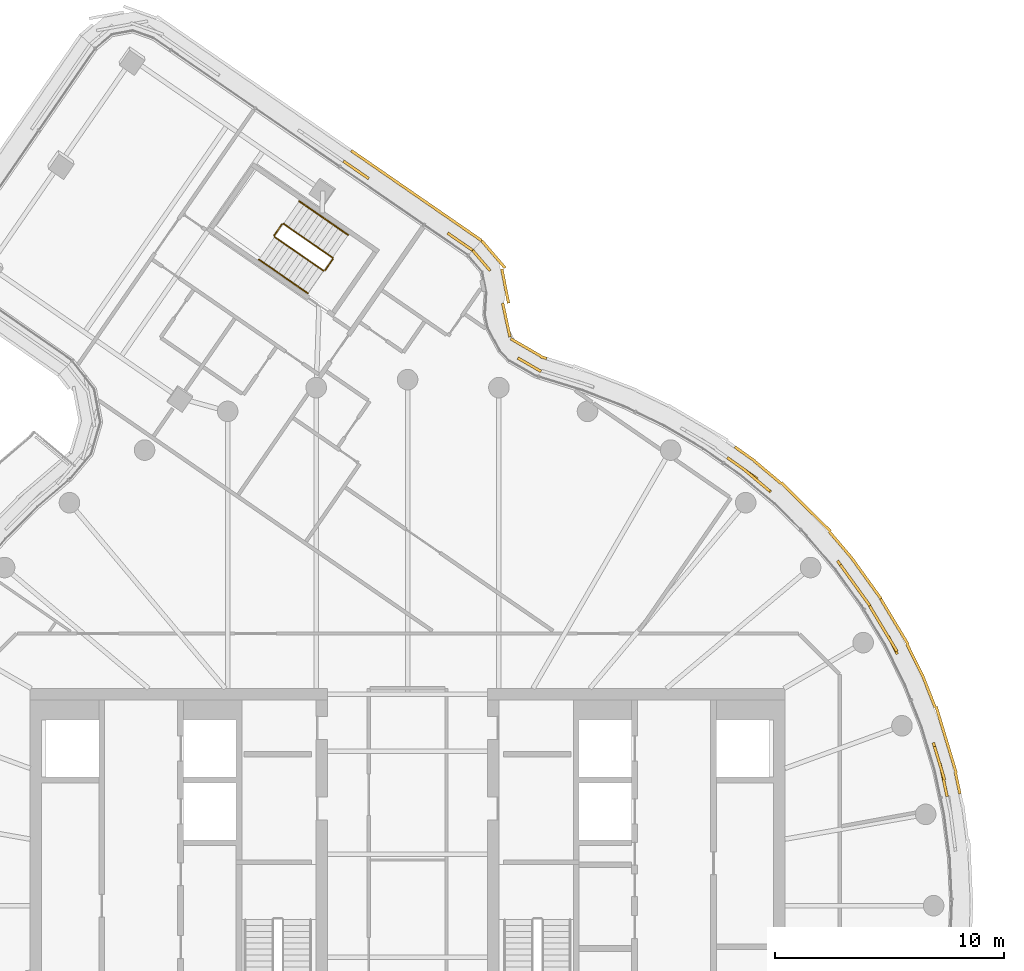
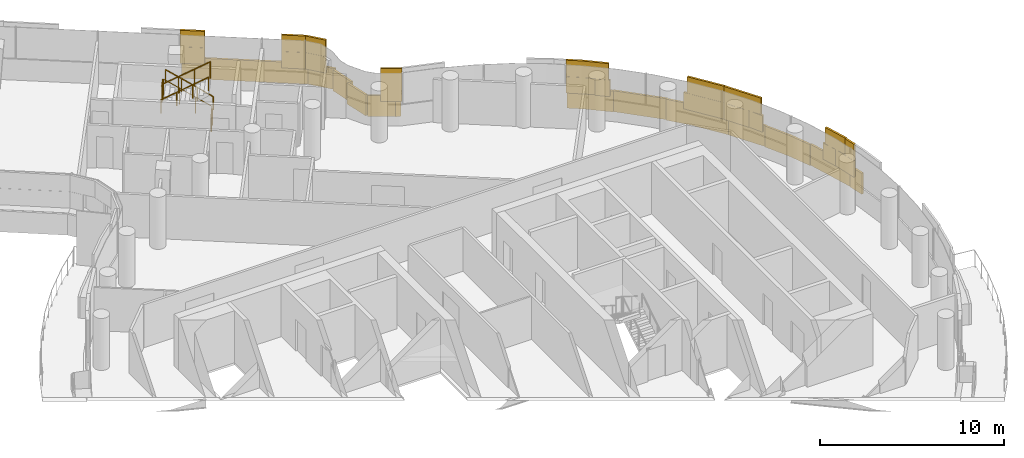
# One storey, part 25 of 26: 6 railings, 4 coverings.
"""IFC4 building model written with IfcOpenShell, lengths in metres."""

from ifc_helpers import new_model, si_unit, direction, frame, origin, origin_2d, place, context, subcontext, project, spatial, rectangle, circle, extrude, material, layer, layer_set, type_object, element, save


model = new_model("IFC4")

# Units and contexts
model_context = context("Model", 3, precision=1e-05, world=origin(), true_north=direction((0.0, 1.0)))
body_context = subcontext(model_context, "Body", "Model", "MODEL_VIEW")
ifc_project = project(units=[si_unit("LENGTHUNIT", "METRE"), si_unit("AREAUNIT", "SQUARE_METRE"), si_unit("VOLUMEUNIT", "CUBIC_METRE"), si_unit("PLANEANGLEUNIT", "RADIAN"), si_unit("MASSUNIT", "GRAM", prefix="KILO")], contexts=[model_context])

# Site, building, storey
site_placement = place(None, origin())
site = spatial("IfcSite", under=ifc_project, at=site_placement, CompositionType="ELEMENT")
building_placement = place(site_placement, origin())
building = spatial("IfcBuilding", under=site, at=building_placement, Name="Tamarind Cross Interchange Tower", CompositionType="ELEMENT")
storey_placement = place(building_placement, frame((0.0, 0.0, 234.300048828125)))
storey = spatial("IfcBuildingStorey", under=building, at=storey_placement, Name="L59", CompositionType="ELEMENT", Elevation=234.300048828125)

# Railings
ifc_material_1 = material(Name="Stair guard")
railing_type_1 = type_object("IfcRailingType", Name="Stair guard", PredefinedType="GUARDRAIL", material=ifc_material_1)
railing_1_placement = place(storey_placement, frame((-3.28076171875, 28.33642578125, 0.16357421875)))
element("IfcRailing", 1, at=railing_1_placement, inside=storey, type_object=railing_type_1, Name="L59 ST4 stair guard 1", PredefinedType="GUARDRAIL", context=body_context, shape_type="SweptSolid", body=[
    extrude(circle(Radius=0.02392578125, at=origin_2d()), frame((0.0, 0.0, 1.076171875), z_axis=(-0.696409003579, 0.480882218494, 0.532697655026), x_axis=(-0.568213426868, -0.822881219574, 0.0)), (0.0, 0.0, 1.0), 3.072021484375),
    extrude(circle(Radius=0.02099609375, at=origin_2d()), origin(), (0.0, 0.0, 1.0), 1.052001953125),
    extrude(circle(Radius=0.02099609375, at=origin_2d()), frame((-0.713134765625, 0.492431640625, 0.54541015625)), (0.0, 0.0, 1.0), 1.052001953125),
    extrude(circle(Radius=0.02099609375, at=origin_2d()), frame((-1.42626953125, 0.98486328125, 1.091064453125)), (0.0, 0.0, 1.0), 1.052001953125),
    extrude(circle(Radius=0.02099609375, at=origin_2d()), frame((-2.139404296875, 1.477294921875, 1.636474609375)), (0.0, 0.0, 1.0), 1.052001953125),
])
railing_2_placement = place(storey_placement, frame((-5.48974609375, 29.801025390625, 1.800048828125)))
element("IfcRailing", 2, at=railing_2_placement, inside=storey, type_object=railing_type_1, Name="L59 ST4 stair guard 2", PredefinedType="GUARDRAIL", context=body_context, shape_type="SweptSolid", body=[
    extrude(circle(Radius=0.02392578125, at=origin_2d()), frame((0.0, 0.0, 1.076171875), z_axis=(-0.568151345887, -0.822924084085, 0.0), x_axis=(0.822924084085, -0.568151345887, 0.0)), (0.0, 0.0, 1.0), 0.599853515625),
    extrude(circle(Radius=0.02099609375, at=origin_2d()), origin(), (0.0, 0.0, 1.0), 1.052001953125),
    extrude(circle(Radius=0.02099609375, at=origin_2d()), frame((-0.3408203125, -0.49365234375, 0.0)), (0.0, 0.0, 1.0), 1.052001953125),
])
railing_3_placement = place(storey_placement, frame((-5.81787109375, 29.23779296875, 1.963623046875)))
element("IfcRailing", 3, at=railing_3_placement, inside=storey, type_object=railing_type_1, Name="L59 ST4 stair guard 3", PredefinedType="GUARDRAIL", context=body_context, shape_type="SweptSolid", body=[
    extrude(circle(Radius=0.02392578125, at=origin_2d()), frame((0.0, 0.0, 1.076171875), z_axis=(0.696411866908, -0.480963667526, 0.53262037339), x_axis=(0.568277007359, 0.822837312539, 0.0)), (0.0, 0.0, 1.0), 3.072021484375),
    extrude(circle(Radius=0.02099609375, at=origin_2d()), origin(), (0.0, 0.0, 1.0), 1.052001953125),
    extrude(circle(Radius=0.02099609375, at=origin_2d()), frame((0.713134765625, -0.492431640625, 0.54541015625)), (0.0, 0.0, 1.0), 1.052001953125),
    extrude(circle(Radius=0.02099609375, at=origin_2d()), frame((1.42626953125, -0.985107421875, 1.0908203125)), (0.0, 0.0, 1.0), 1.052001953125),
    extrude(circle(Radius=0.02099609375, at=origin_2d()), frame((2.139404296875, -1.4775390625, 1.63623046875)), (0.0, 0.0, 1.0), 1.052001953125),
])
railing_4_placement = place(storey_placement, frame((-3.267822265625, 28.266845703125, 0.0)))
element("IfcRailing", 4, at=railing_4_placement, inside=storey, type_object=railing_type_1, Name="L59 ST4 stair guard 4", PredefinedType="GUARDRAIL", context=body_context, shape_type="SweptSolid", body=[
    extrude(circle(Radius=0.02392578125, at=origin_2d()), frame((0.0, 0.0, 1.076171875), z_axis=(-0.568426862335, -0.822733797881, 0.0), x_axis=(0.822733797881, -0.568426862335, 0.0)), (0.0, 0.0, 1.0), 0.60009765625),
    extrude(circle(Radius=0.02099609375, at=origin_2d()), origin(), (0.0, 0.0, 1.0), 1.052001953125),
    extrude(circle(Radius=0.02099609375, at=origin_2d()), frame((-0.341064453125, -0.49365234375, 0.0)), (0.0, 0.0, 1.0), 1.052001953125),
])
ifc_material_2 = material(Name="Stair handrail")
railing_type_2 = type_object("IfcRailingType", Name="Stair handrail", PredefinedType="HANDRAIL", material=ifc_material_2)
railing_5_placement = place(storey_placement, frame((-2.598876953125, 29.32373046875, 0.16357421875)))
element("IfcRailing", 5, at=railing_5_placement, inside=storey, type_object=railing_type_2, Name="L59 ST4 stair handrail 1", PredefinedType="HANDRAIL", context=body_context, shape_type="SweptSolid", body=[
    extrude(circle(Radius=0.02392578125, at=origin_2d()), frame((0.0, 0.0, 0.8759765625), z_axis=(-0.69638238863, 0.480943308911, 0.5326772967), x_axis=(-0.568277007359, -0.822837312539, 0.0)), (0.0, 0.0, 1.0), 3.072265625),
    extrude(circle(Radius=0.02099609375, at=origin_2d()), origin(), (0.0, 0.0, 1.0), 0.851806640625),
    extrude(circle(Radius=0.02099609375, at=origin_2d()), frame((-0.713134765625, 0.492431640625, 0.54541015625)), (0.0, 0.0, 1.0), 0.851806640625),
    extrude(circle(Radius=0.02099609375, at=origin_2d()), frame((-1.42626953125, 0.985107421875, 1.091064453125)), (0.0, 0.0, 1.0), 0.851806640625),
    extrude(circle(Radius=0.02099609375, at=origin_2d()), frame((-2.139404296875, 1.4775390625, 1.636474609375)), (0.0, 0.0, 1.0), 0.851806640625),
])
railing_6_placement = place(storey_placement, frame((-6.499755859375, 28.250244140625, 1.963623046875)))
element("IfcRailing", 6, at=railing_6_placement, inside=storey, type_object=railing_type_2, Name="L59 ST4 stair handrail 2", PredefinedType="HANDRAIL", context=body_context, shape_type="SweptSolid", body=[
    extrude(circle(Radius=0.02392578125, at=origin_2d()), frame((0.0, 0.0, 0.8759765625), z_axis=(0.696438485238, -0.480902576078, 0.532640731264), x_axis=(0.568213426868, 0.822881219574, 0.0)), (0.0, 0.0, 1.0), 3.072021484375),
    extrude(circle(Radius=0.02099609375, at=origin_2d()), origin(), (0.0, 0.0, 1.0), 0.851806640625),
    extrude(circle(Radius=0.02099609375, at=origin_2d()), frame((0.713134765625, -0.492431640625, 0.54541015625)), (0.0, 0.0, 1.0), 0.851806640625),
    extrude(circle(Radius=0.02099609375, at=origin_2d()), frame((1.42626953125, -0.98486328125, 1.0908203125)), (0.0, 0.0, 1.0), 0.851806640625),
    extrude(circle(Radius=0.02099609375, at=origin_2d()), frame((2.139404296875, -1.477294921875, 1.63623046875)), (0.0, 0.0, 1.0), 0.851806640625),
])

# Coverings
ifc_material_3 = material(Name="Terracotta", Category="masonry")
ifc_layer = layer(ifc_material_3, 0.1201171875)
ifc_layer_set = layer_set([ifc_layer], Name="Terracotta")
covering_type = type_object("IfcCoveringType", Name="Terracotta baguette screen unit", PredefinedType="MOLDING", material=ifc_layer_set)
covering_1_placement = place(storey_placement, origin())
element("IfcCovering", 7, at=covering_1_placement, inside=storey, type_object=covering_type, Name="SCR-L59-02-07", PredefinedType="MOLDING", context=body_context, shape_type="SweptSolid", body=[
    extrude(rectangle(XDim=1.4970703125, YDim=0.1201171875, at=origin_2d()), frame((23.43212890625, 5.505859375, 1.40380859375), z_axis=(0.0, 0.0, 1.0), x_axis=(-0.209425419705, 0.977824623121, 0.0)), (0.0, 0.0, 1.0), 1.092041015625),
    extrude(rectangle(XDim=0.9443359375, YDim=0.1201171875, at=origin_2d()), frame((23.123046875, 6.675537109375, 1.40380859375), z_axis=(0.0, 0.0, 1.0), x_axis=(-0.289458243079, 0.957190642199, 0.0)), (0.0, 0.0, 1.0), 1.092041015625),
    extrude(rectangle(XDim=0.87548828125, YDim=0.1201171875, at=origin_2d()), frame((21.21337890625, 11.39306640625, 1.40380859375), z_axis=(0.0, 0.0, 1.0), x_axis=(-0.443058811505, 0.896492548518, 0.0)), (0.0, 0.0, 1.0), 1.092041015625),
    extrude(rectangle(XDim=1.52001953125, YDim=0.1201171875, at=origin_2d()), frame((20.61669921875, 12.413818359375, 1.40380859375), z_axis=(0.0, 0.0, 1.0), x_axis=(-0.515577308909, 0.856843065292, 0.0)), (0.0, 0.0, 1.0), 1.092041015625),
    extrude(rectangle(XDim=0.06591796875, YDim=0.1201171875, at=origin_2d()), frame((20.215576171875, 13.080322265625, 1.40380859375), z_axis=(0.0, 0.0, 1.0), x_axis=(-0.515577308909, 0.856843065292, 0.0)), (0.0, 0.0, 1.0), 1.092041015625),
    extrude(rectangle(XDim=0.7470703125, YDim=0.1201171875, at=origin_2d()), frame((23.510498046875, 5.13916015625, 2.50390625), z_axis=(0.0, 0.0, 1.0), x_axis=(-0.209425419705, 0.977824623121, 0.0)), (0.0, 0.0, 1.0), 1.092041015625),
    extrude(rectangle(XDim=1.52001953125, YDim=0.1201171875, at=origin_2d()), frame((23.25830078125, 6.228271484375, 2.50390625), z_axis=(0.0, 0.0, 1.0), x_axis=(-0.289458243079, 0.957190642199, 0.0)), (0.0, 0.0, 1.0), 1.092041015625),
    extrude(rectangle(XDim=1.52001953125, YDim=0.1201171875, at=origin_2d()), frame((21.00341796875, 11.77099609375, 2.50390625), z_axis=(0.0, 0.0, 1.0), x_axis=(-0.515577308909, 0.856843065292, 0.0)), (0.0, 0.0, 1.0), 1.092041015625),
    extrude(rectangle(XDim=0.81591796875, YDim=0.1201171875, at=origin_2d()), frame((20.408935546875, 12.759033203125, 2.50390625), z_axis=(0.0, 0.0, 1.0), x_axis=(-0.515577308909, 0.856843065292, 0.0)), (0.0, 0.0, 1.0), 1.092041015625),
    extrude(rectangle(XDim=0.9599609375, YDim=0.1201171875, at=origin_2d()), frame((24.0498046875, 5.362060546875, 0.00390625), z_axis=(0.0, 0.0, 1.0), x_axis=(-0.209425419705, 0.977824623121, 0.0)), (0.0, 0.0, 1.0), 1.39208984375),
    extrude(rectangle(XDim=1.52001953125, YDim=0.1201171875, at=origin_2d()), frame((23.76171875, 6.546630859375, 0.00390625), z_axis=(0.0, 0.0, 1.0), x_axis=(-0.289458243079, 0.957190642199, 0.0)), (0.0, 0.0, 1.0), 1.39208984375),
    extrude(rectangle(XDim=1.52001953125, YDim=0.1201171875, at=origin_2d()), frame((23.32763671875, 7.982421875, 0.00390625), z_axis=(0.0, 0.0, 1.0), x_axis=(-0.289458243079, 0.957190642199, 0.0)), (0.0, 0.0, 1.0), 1.39208984375),
    extrude(rectangle(XDim=1.52001953125, YDim=0.1201171875, at=origin_2d()), frame((22.786376953125, 9.380859375, 0.00390625), z_axis=(0.0, 0.0, 1.0), x_axis=(-0.367513773146, 0.930018078613, 0.0)), (0.0, 0.0, 1.0), 1.39208984375),
    extrude(rectangle(XDim=1.52001953125, YDim=0.1201171875, at=origin_2d()), frame((22.17236328125, 10.748046875, 0.00390625), z_axis=(0.0, 0.0, 1.0), x_axis=(-0.443058811505, 0.896492548518, 0.0)), (0.0, 0.0, 1.0), 1.39208984375),
    extrude(rectangle(XDim=1.52001953125, YDim=0.1201171875, at=origin_2d()), frame((21.486572265625, 12.081298828125, 0.00390625), z_axis=(0.0, 0.0, 1.0), x_axis=(-0.515577308909, 0.856843065292, 0.0)), (0.0, 0.0, 1.0), 1.39208984375),
    extrude(rectangle(XDim=0.81884765625, YDim=0.1201171875, at=origin_2d()), frame((20.89404296875, 13.066162109375, 0.00390625), z_axis=(0.0, 0.0, 1.0), x_axis=(-0.515577308909, 0.856843065292, 0.0)), (0.0, 0.0, 1.0), 1.39208984375),
])
covering_2_placement = place(storey_placement, origin())
element("IfcCovering", 8, at=covering_2_placement, inside=storey, type_object=covering_type, Name="SCR-L59-02-08", PredefinedType="MOLDING", context=body_context, shape_type="SweptSolid", body=[
    extrude(rectangle(XDim=1.453857421875, YDim=0.1201171875, at=origin_2d()), frame((19.79150390625, 13.698486328125, 1.40380859375), z_axis=(0.0, 0.0, 1.0), x_axis=(-0.584573890505, 0.811340475102, 0.0)), (0.0, 0.0, 1.0), 1.092041015625),
    extrude(rectangle(XDim=0.987548828125, YDim=0.1201171875, at=origin_2d()), frame((19.083740234375, 14.6806640625, 1.40380859375), z_axis=(0.0, 0.0, 1.0), x_axis=(-0.584573890505, 0.811340475102, 0.0)), (0.0, 0.0, 1.0), 1.092041015625),
    extrude(rectangle(XDim=0.83251953125, YDim=0.1201171875, at=origin_2d()), frame((15.56396484375, 18.35546875, 1.40380859375), z_axis=(0.0, 0.0, 1.0), x_axis=(-0.765858396687, 0.643009266048, 0.0)), (0.0, 0.0, 1.0), 1.092041015625),
    extrude(rectangle(XDim=1.52001953125, YDim=0.1201171875, at=origin_2d()), frame((14.672119140625, 19.09912109375, 1.40380859375), z_axis=(0.0, 0.0, 1.0), x_axis=(-0.816341886298, 0.577568978284, 0.0)), (0.0, 0.0, 1.0), 1.092041015625),
    extrude(rectangle(XDim=0.10888671875, YDim=0.1201171875, at=origin_2d()), frame((14.01953125, 19.560791015625, 1.40380859375), z_axis=(0.0, 0.0, 1.0), x_axis=(-0.816341886298, 0.577568978284, 0.0)), (0.0, 0.0, 1.0), 1.092041015625),
    extrude(rectangle(XDim=0.703857421875, YDim=0.1201171875, at=origin_2d()), frame((20.0107421875, 13.394287109375, 2.50390625), z_axis=(0.0, 0.0, 1.0), x_axis=(-0.584573890505, 0.811340475102, 0.0)), (0.0, 0.0, 1.0), 1.092041015625),
    extrude(rectangle(XDim=1.52001953125, YDim=0.1201171875, at=origin_2d()), frame((19.36962890625, 14.2841796875, 2.50390625), z_axis=(0.0, 0.0, 1.0), x_axis=(-0.584573890505, 0.811340475102, 0.0)), (0.0, 0.0, 1.0), 1.092041015625),
    extrude(rectangle(XDim=1.52001953125, YDim=0.1201171875, at=origin_2d()), frame((15.248779296875, 18.619873046875, 2.50390625), z_axis=(0.0, 0.0, 1.0), x_axis=(-0.765858396687, 0.643009266048, 0.0)), (0.0, 0.0, 1.0), 1.092041015625),
    extrude(rectangle(XDim=0.85888671875, YDim=0.1201171875, at=origin_2d()), frame((14.325439453125, 19.34423828125, 2.50390625), z_axis=(0.0, 0.0, 1.0), x_axis=(-0.816341886298, 0.577568978284, 0.0)), (0.0, 0.0, 1.0), 1.092041015625),
    extrude(rectangle(XDim=0.701171875, YDim=0.1201171875, at=origin_2d()), frame((20.49072265625, 13.7099609375, 0.00390625), z_axis=(0.0, 0.0, 1.0), x_axis=(-0.584573890505, 0.811340475102, 0.0)), (0.0, 0.0, 1.0), 1.39208984375),
    extrude(rectangle(XDim=1.52001953125, YDim=0.1201171875, at=origin_2d()), frame((19.853271484375, 14.5947265625, 0.00390625), z_axis=(0.0, 0.0, 1.0), x_axis=(-0.584573890505, 0.811340475102, 0.0)), (0.0, 0.0, 1.0), 1.39208984375),
    extrude(rectangle(XDim=1.52001953125, YDim=0.1201171875, at=origin_2d()), frame((18.929931640625, 15.775146484375, 0.00390625), z_axis=(0.0, 0.0, 1.0), x_axis=(-0.64957723968, 0.760295606781, 0.0)), (0.0, 0.0, 1.0), 1.39208984375),
    extrude(rectangle(XDim=1.52001953125, YDim=0.1201171875, at=origin_2d()), frame((17.94482421875, 16.905517578125, 0.00390625), z_axis=(0.0, 0.0, 1.0), x_axis=(-0.710143317658, 0.704057148523, 0.0)), (0.0, 0.0, 1.0), 1.39208984375),
    extrude(rectangle(XDim=1.52001953125, YDim=0.1201171875, at=origin_2d()), frame((16.87939453125, 17.961669921875, 0.00390625), z_axis=(0.0, 0.0, 1.0), x_axis=(-0.710143317658, 0.704057148523, 0.0)), (0.0, 0.0, 1.0), 1.39208984375),
    extrude(rectangle(XDim=1.52001953125, YDim=0.1201171875, at=origin_2d()), frame((15.750732421875, 18.947998046875, 0.00390625), z_axis=(0.0, 0.0, 1.0), x_axis=(-0.765858396687, 0.643009266048, 0.0)), (0.0, 0.0, 1.0), 1.39208984375),
    extrude(rectangle(XDim=1.077392578125, YDim=0.1201171875, at=origin_2d()), frame((14.752197265625, 19.745361328125, 0.00390625), z_axis=(0.0, 0.0, 1.0), x_axis=(-0.816341886298, 0.577568978284, 0.0)), (0.0, 0.0, 1.0), 1.39208984375),
])
covering_3_placement = place(storey_placement, origin())
element("IfcCovering", 9, at=covering_3_placement, inside=storey, type_object=covering_type, Name="SCR-L59-02-10", PredefinedType="MOLDING", context=body_context, shape_type="SweptSolid", body=[
    extrude(rectangle(XDim=1.166259765625, YDim=0.1201171875, at=origin_2d()), frame((5.326904296875, 23.652587890625, 1.40380859375), z_axis=(0.0, 0.0, 1.0), x_axis=(-0.865614993946, 0.500710177904, 0.0)), (0.0, 0.0, 1.0), 1.092041015625),
    extrude(rectangle(XDim=0.516357421875, YDim=0.1201171875, at=origin_2d()), frame((3.442626953125, 27.9560546875, 1.40380859375), z_axis=(0.0, 0.0, 1.0), x_axis=(-0.650818347179, 0.7592334812, 0.0)), (0.0, 0.0, 1.0), 1.092041015625),
    extrude(rectangle(XDim=0.669921875, YDim=0.1201171875, at=origin_2d()), frame((3.06298828125, 28.398681640625, 1.40380859375), z_axis=(0.0, 0.0, 1.0), x_axis=(-0.650818347179, 0.7592334812, 0.0)), (0.0, 0.0, 1.0), 1.092041015625),
    extrude(rectangle(XDim=0.6328125, YDim=0.1201171875, at=origin_2d()), frame((5.562255859375, 23.516357421875, 2.50390625), z_axis=(0.0, 0.0, 1.0), x_axis=(-0.865614993946, 0.500710177904, 0.0)), (0.0, 0.0, 1.0), 1.092041015625),
    extrude(rectangle(XDim=0.5537109375, YDim=0.1201171875, at=origin_2d()), frame((5.057373046875, 23.808349609375, 2.50390625), z_axis=(0.0, 0.0, 1.0), x_axis=(-0.865614993946, 0.500710177904, 0.0)), (0.0, 0.0, 1.0), 1.092041015625),
    extrude(rectangle(XDim=1.166259765625, YDim=0.1201171875, at=origin_2d()), frame((3.227783203125, 28.20654296875, 2.50390625), z_axis=(0.0, 0.0, 1.0), x_axis=(-0.650818347179, 0.7592334812, 0.0)), (0.0, 0.0, 1.0), 1.092041015625),
    extrude(rectangle(XDim=0.291748046875, YDim=0.1201171875, at=origin_2d()), frame((5.93603515625, 23.96923828125, 0.00390625), z_axis=(0.0, 0.0, 1.0), x_axis=(-0.955148026789, 0.296128767466, 0.0)), (0.0, 0.0, 1.0), 1.39208984375),
    extrude(rectangle(XDim=1.52001953125, YDim=0.1201171875, at=origin_2d()), frame((5.1669921875, 24.407958984375, 0.00390625), z_axis=(0.0, 0.0, 1.0), x_axis=(-0.865614993946, 0.500710177904, 0.0)), (0.0, 0.0, 1.0), 1.39208984375),
    extrude(rectangle(XDim=1.52001953125, YDim=0.1201171875, at=origin_2d()), frame((4.317138671875, 25.603515625, 0.00390625), z_axis=(0.0, 0.0, 1.0), x_axis=(-0.211424447092, 0.977394343739, 0.0)), (0.0, 0.0, 1.0), 1.39208984375),
    extrude(rectangle(XDim=1.52001953125, YDim=0.1201171875, at=origin_2d()), frame((4.26806640625, 27.090087890625, 0.00390625), z_axis=(0.0, 0.0, 1.0), x_axis=(-0.191857241723, 0.981422844037, 0.0)), (0.0, 0.0, 1.0), 1.39208984375),
    extrude(rectangle(XDim=1.52001953125, YDim=0.1201171875, at=origin_2d()), frame((3.767333984375, 28.459228515625, 0.00390625), z_axis=(0.0, 0.0, 1.0), x_axis=(-0.650818347179, 0.7592334812, 0.0)), (0.0, 0.0, 1.0), 1.39208984375),
    extrude(rectangle(XDim=0.076904296875, YDim=0.1201171875, at=origin_2d()), frame((3.2607421875, 29.05029296875, 0.00390625), z_axis=(0.0, 0.0, 1.0), x_axis=(-0.650818347179, 0.7592334812, 0.0)), (0.0, 0.0, 1.0), 1.39208984375),
])
covering_4_placement = place(storey_placement, origin())
element("IfcCovering", 10, at=covering_4_placement, inside=storey, type_object=covering_type, Name="SCR-L59-03-00", PredefinedType="MOLDING", context=body_context, shape_type="SweptSolid", body=[
    extrude(rectangle(XDim=0.760009765625, YDim=0.1201171875, at=origin_2d()), frame((2.539794921875, 28.8623046875, 1.40380859375), z_axis=(0.0, 0.0, 1.0), x_axis=(-0.822882571359, 0.56821146922, 0.0)), (0.0, 0.0, 1.0), 1.092041015625),
    extrude(rectangle(XDim=0.591796875, YDim=0.1201171875, at=origin_2d()), frame((1.99169921875, 29.24072265625, 1.40380859375), z_axis=(0.0, 0.0, 1.0), x_axis=(-0.822882571359, 0.56821146922, 0.0)), (0.0, 0.0, 1.0), 1.092041015625),
    extrude(rectangle(XDim=1.228271484375, YDim=0.1201171875, at=origin_2d()), frame((-2.204833984375, 32.138671875, 1.40380859375), z_axis=(0.0, 0.0, 1.0), x_axis=(-0.822882571359, 0.56821146922, 0.0)), (0.0, 0.0, 1.0), 1.092041015625),
    extrude(rectangle(XDim=0.12353515625, YDim=0.1201171875, at=origin_2d()), frame((-2.7529296875, 32.516845703125, 1.40380859375), z_axis=(0.0, 0.0, 1.0), x_axis=(-0.822882571359, 0.56821146922, 0.0)), (0.0, 0.0, 1.0), 1.092041015625),
    extrude(rectangle(XDim=1.331787109375, YDim=0.1201171875, at=origin_2d()), frame((2.30029296875, 29.027587890625, 2.50390625), z_axis=(0.0, 0.0, 1.0), x_axis=(-0.822882571359, 0.56821146922, 0.0)), (0.0, 0.0, 1.0), 1.092041015625),
    extrude(rectangle(XDim=0.478271484375, YDim=0.1201171875, at=origin_2d()), frame((-1.896240234375, 31.925537109375, 2.50390625), z_axis=(0.0, 0.0, 1.0), x_axis=(-0.822882571359, 0.56821146922, 0.0)), (0.0, 0.0, 1.0), 1.092041015625),
    extrude(rectangle(XDim=0.87353515625, YDim=0.1201171875, at=origin_2d()), frame((-2.4443359375, 32.303955078125, 2.50390625), z_axis=(0.0, 0.0, 1.0), x_axis=(-0.822882571359, 0.56821146922, 0.0)), (0.0, 0.0, 1.0), 1.092041015625),
    extrude(rectangle(XDim=0.760009765625, YDim=0.1201171875, at=origin_2d()), frame((2.923095703125, 29.295166015625, 0.00390625), z_axis=(0.0, 0.0, 1.0), x_axis=(-0.822882571359, 0.56821146922, 0.0)), (0.0, 0.0, 1.0), 1.39208984375),
    extrude(rectangle(XDim=1.52001953125, YDim=0.1201171875, at=origin_2d()), frame((2.00146484375, 29.931640625, 0.00390625), z_axis=(0.0, 0.0, 1.0), x_axis=(-0.822882571359, 0.56821146922, 0.0)), (0.0, 0.0, 1.0), 1.39208984375),
    extrude(rectangle(XDim=1.52001953125, YDim=0.1201171875, at=origin_2d()), frame((0.76708984375, 30.783935546875, 0.00390625), z_axis=(0.0, 0.0, 1.0), x_axis=(-0.822882571359, 0.56821146922, 0.0)), (0.0, 0.0, 1.0), 1.39208984375),
    extrude(rectangle(XDim=1.52001953125, YDim=0.1201171875, at=origin_2d()), frame((-0.46728515625, 31.63623046875, 0.00390625), z_axis=(0.0, 0.0, 1.0), x_axis=(-0.822882571359, 0.56821146922, 0.0)), (0.0, 0.0, 1.0), 1.39208984375),
    extrude(rectangle(XDim=1.52001953125, YDim=0.1201171875, at=origin_2d()), frame((-1.70166015625, 32.488525390625, 0.00390625), z_axis=(0.0, 0.0, 1.0), x_axis=(-0.822882571359, 0.56821146922, 0.0)), (0.0, 0.0, 1.0), 1.39208984375),
    extrude(rectangle(XDim=0.184814453125, YDim=0.1201171875, at=origin_2d()), frame((-2.386474609375, 32.961669921875, 0.00390625), z_axis=(0.0, 0.0, 1.0), x_axis=(-0.822882571359, 0.56821146922, 0.0)), (0.0, 0.0, 1.0), 1.39208984375),
])

save(model, "model.ifc")
